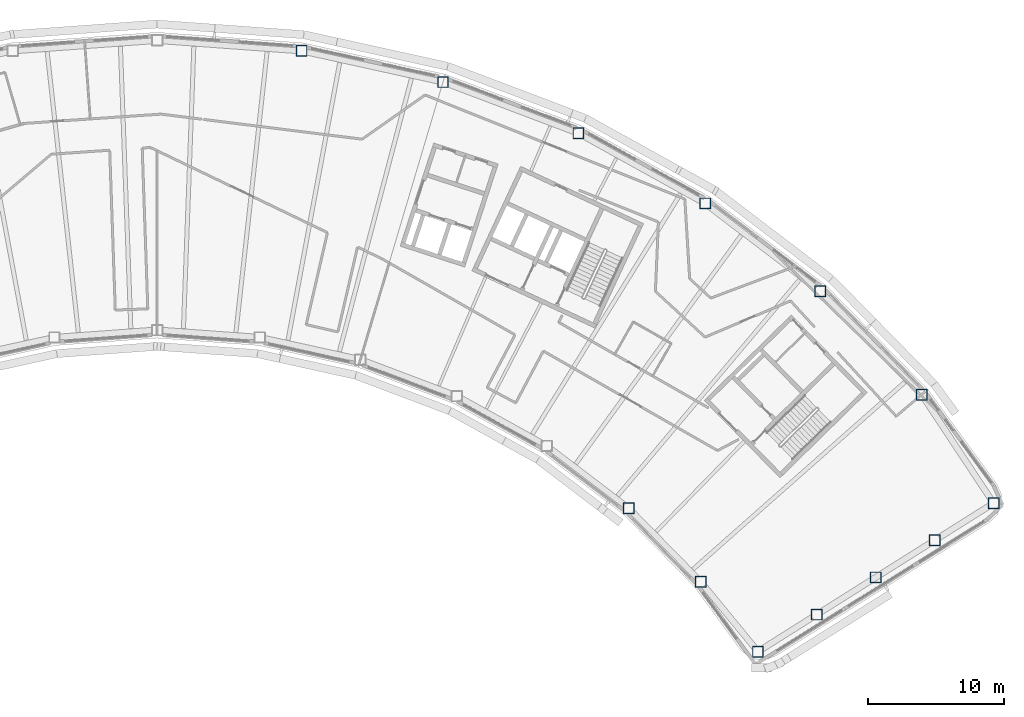
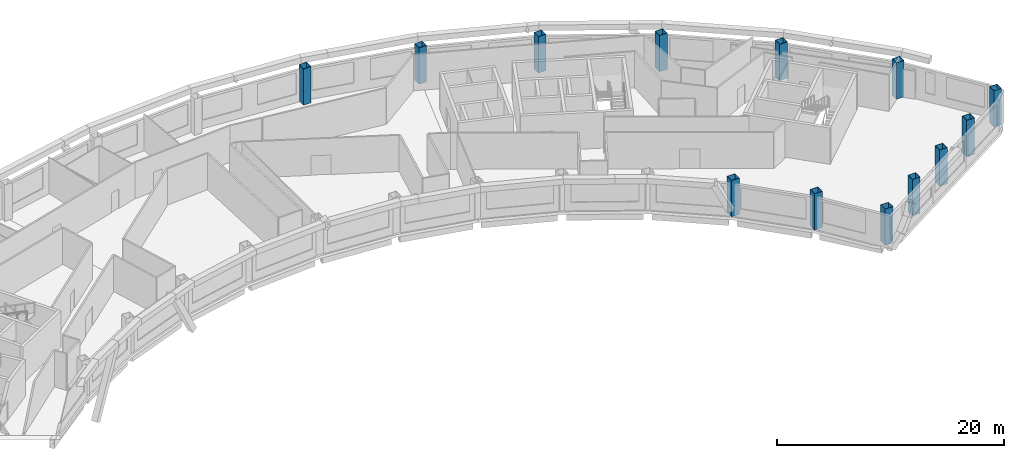
# One storey, part 2 of 15: 13 columns.
"""IFC4 building model written with IfcOpenShell, lengths in metres."""

from ifc_helpers import new_model, si_unit, direction, frame, origin, origin_2d, place, context, subcontext, project, spatial, hollow_rectangle, extrude, material, material_profile, profile_set, type_object, element, save


model = new_model("IFC4")

# Units and contexts
model_context = context("Model", 3, precision=1e-05, world=origin(), true_north=direction((0.0, 1.0)))
body_context = subcontext(model_context, "Body", "Model", "MODEL_VIEW")
ifc_project = project(units=[si_unit("LENGTHUNIT", "METRE"), si_unit("AREAUNIT", "SQUARE_METRE"), si_unit("VOLUMEUNIT", "CUBIC_METRE"), si_unit("PLANEANGLEUNIT", "RADIAN"), si_unit("MASSUNIT", "GRAM", prefix="KILO")], contexts=[model_context])

# Site, building, storey
site_placement = place(None, origin())
site = spatial("IfcSite", under=ifc_project, at=site_placement, CompositionType="ELEMENT")
building_placement = place(site_placement, origin())
building = spatial("IfcBuilding", under=site, at=building_placement, Name="Tuul Gate Civic Tower", CompositionType="ELEMENT")
storey_placement = place(building_placement, frame((0.0, 0.0, 332.300048828125)))
storey = spatial("IfcBuildingStorey", under=building, at=storey_placement, Name="Level 75", CompositionType="ELEMENT", Elevation=332.300048828125)

# Columns
ifc_material = material(Name="Steel S355", Category="steel")
ifc_material_profile = material_profile(ifc_material, hollow_rectangle(XDim=0.800048828125, YDim=0.800048828125, WallThickness=0.031982421875, at=origin_2d()), Name="BOX800x800x32")
ifc_profile_set = profile_set([ifc_material_profile], Name="Steel S355")
column_type = type_object("IfcColumnType", Name="STR-COLUMN-BOX800x800x32", PredefinedType="COLUMN", material=ifc_profile_set)
for number, where, z_axis, x_axis, name in (
    (1, (63.863037109375, -20.300048828125, 0.0), (0.0, 0.0, 1.0), (1.0, 0.0, 0.0), "Column"),
    (2, (58.56396484375, -12.2880859375, 0.0), (0.0, 0.0, 1.0), (1.0, 0.0, 0.0), "Column"),
    (3, (51.090087890625, -4.6630859375, 0.0), (0.0, 0.0, 1.0), (1.0, 0.0, 0.0), "Column"),
    (4, (42.593994140625, 1.804931640625, 0.0), (0.0, 0.0, 1.0), (1.0, 0.0, 0.0), "Column"),
    (5, (33.256103515625, 6.98193359375, 0.0), (0.0, 0.0, 1.0), (1.0, 0.0, 0.0), "Column"),
    (6, (23.26904296875, 10.758056640625, 0.0), (0.0, 0.0, 1.0), (1.0, 0.0, 0.0), "Column"),
    (7, (12.841064453125, 13.055908203125, 0.0), (0.0, 0.0, 1.0), (1.0, 0.0, 0.0), "Column"),
    (8, (36.958984375, -20.675048828125, 0.0), (0.0, 0.0, 1.0), (1.0, 0.0, 0.0), "Column"),
    (9, (42.27294921875, -26.096923828125, 0.0), (0.0, 0.0, 1.0), (1.0, 0.0, 0.0), "Column"),
    (10, (46.492919921875, -31.239013671875, 0.0), (0.0, 0.0, 1.0), (1.0, 0.0, 0.0), "Column"),
    (11, (50.8349609375, -28.50390625, 0.0), (0.0, 0.0, 1.0), (1.0, 0.0, 0.0), "Column"),
    (12, (55.177978515625, -25.77001953125, 0.0), (0.0, 0.0, 1.0), (1.0, 0.0, 0.0), "Column"),
    (13, (59.52001953125, -23.034912109375, 0.0), (0.0, 0.0, 1.0), (1.0, 0.0, 0.0), "Column"),
):
    element("IfcColumn", number, at=place(storey_placement, frame(where, z_axis=z_axis, x_axis=x_axis)), inside=storey, type_object=column_type, Name=name, PredefinedType="COLUMN", context=body_context, shape_type="SweptSolid", body=[
        extrude(hollow_rectangle(XDim=0.800048828125, YDim=0.800048828125, WallThickness=0.031982421875, at=origin_2d()), origin(), (0.0, 0.0, 1.0), 3.89990234375),
    ])

save(model, "model.ifc")
